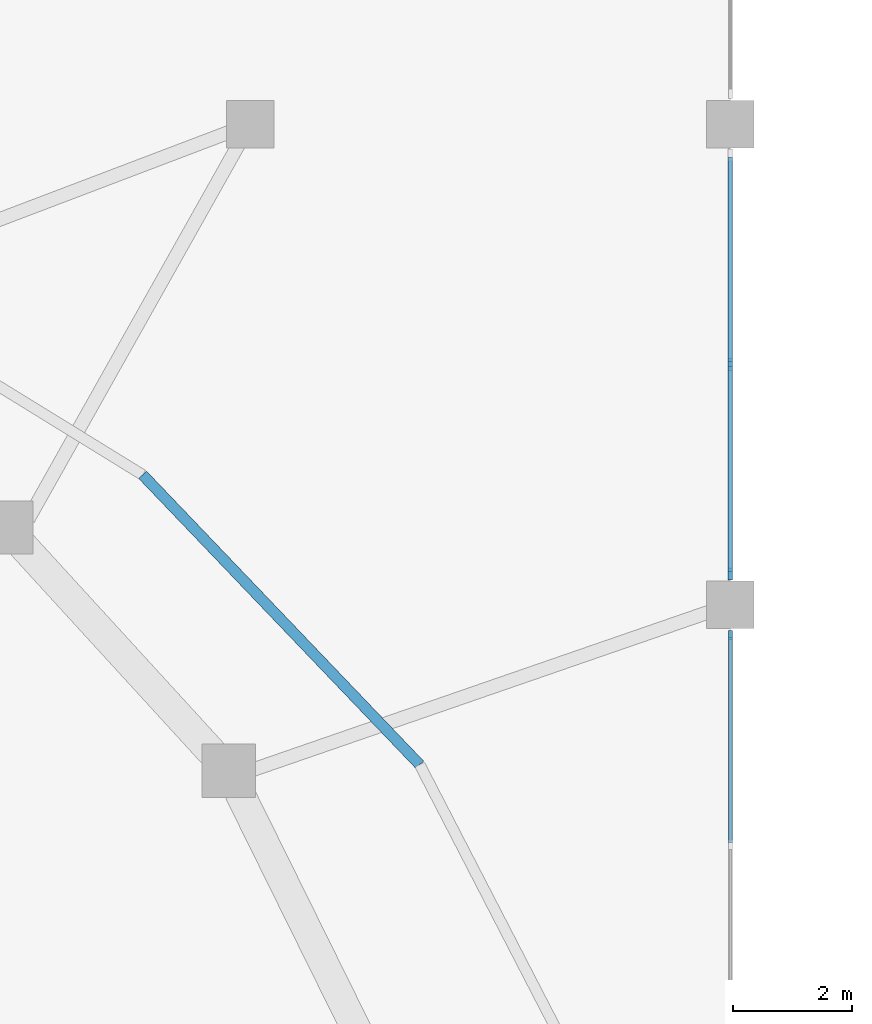
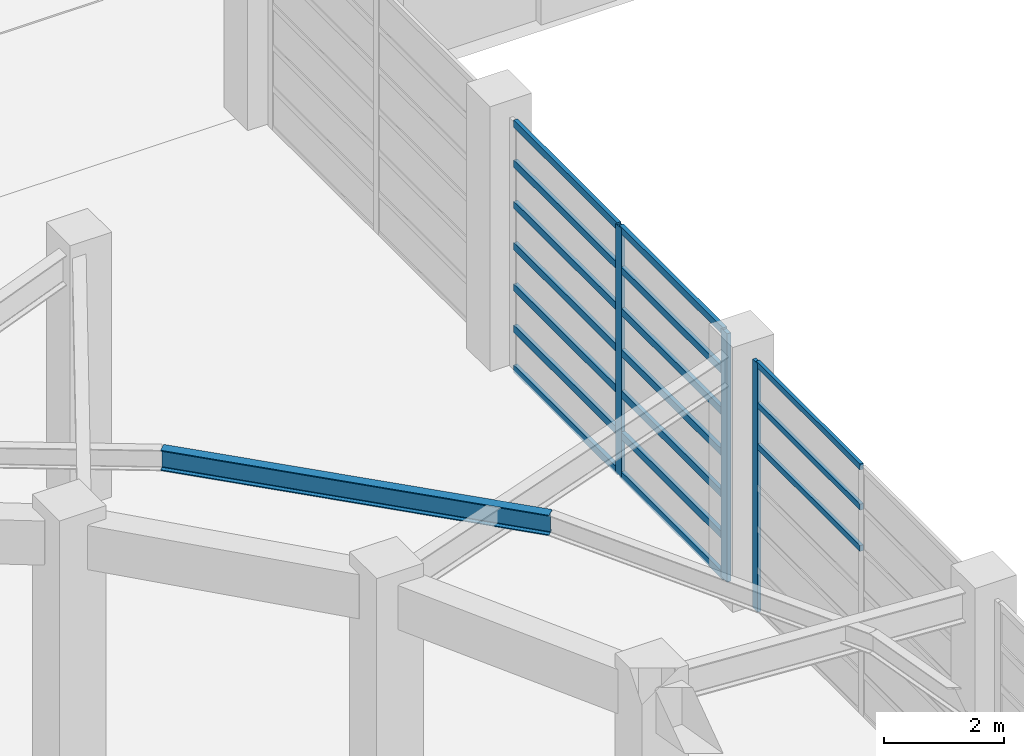
# One storey, part 15 of 52: 20 members, 1 beam, 2 elements without a shape of their own.
"""IFC4 building model written with IfcOpenShell, lengths in metres."""

from ifc_helpers import new_model, si_unit, direction, frame, origin, origin_2d, place, context, subcontext, project, spatial, rectangle, i_section, extrude, material, material_profile, profile_set, type_object, element, aggregate, save


model = new_model("IFC4")

# Units and contexts
model_context = context("Model", 3, precision=1e-05, world=origin(), true_north=direction((0.0, 1.0)))
body_context = subcontext(model_context, "Body", "Model", "MODEL_VIEW")
ifc_project = project(units=[si_unit("LENGTHUNIT", "METRE"), si_unit("AREAUNIT", "SQUARE_METRE"), si_unit("VOLUMEUNIT", "CUBIC_METRE"), si_unit("PLANEANGLEUNIT", "RADIAN"), si_unit("MASSUNIT", "GRAM", prefix="KILO")], contexts=[model_context])

# Site, building, storey
site_placement = place(None, origin())
site = spatial("IfcSite", under=ifc_project, at=site_placement, CompositionType="ELEMENT")
building_placement = place(site_placement, origin())
building = spatial("IfcBuilding", under=site, at=building_placement, Name="Parian Resonance Hall", CompositionType="ELEMENT")
storey_placement = place(building_placement, origin())
storey = spatial("IfcBuildingStorey", under=building, at=storey_placement, Name="L00", CompositionType="ELEMENT", Elevation=0.0)

# Beam
ifc_material_1 = material(Name="Steel S355", Category="steel")
ifc_material_profile_1 = material_profile(ifc_material_1, i_section(OverallWidth=0.180908203125, OverallDepth=0.4169921875, WebThickness=0.010986328125, FlangeThickness=0.018310546875, FilletRadius=0.01513671875, at=origin_2d()), Name="W410x85")
ifc_profile_set_1 = profile_set([ifc_material_profile_1], Name="Steel S355")
beam_type = type_object("IfcBeamType", Name="BM-W410x85", PredefinedType="SPANDREL", material=ifc_profile_set_1)
beam_placement = place(storey_placement, frame((67.6611328125, 54.0, 4.92138671875), z_axis=(-0.690985683524, 0.722868442502, 0.0), x_axis=(-0.722868442502, -0.690985683524, 0.0)))
element("IfcBeam", 1, at=beam_placement, inside=storey, type_object=beam_type, Name="Elliptical R1 perimeter spandrel beam 03", PredefinedType="SPANDREL", context=body_context, shape_type="SweptSolid", body=[
    extrude(i_section(OverallWidth=0.180908203125, OverallDepth=0.4169921875, WebThickness=0.010986328125, FlangeThickness=0.018310546875, FilletRadius=0.01513671875, at=origin_2d()), origin(), (0.0, 0.0, 1.0), 6.761474609375),
])

# Curtain wall, member
ifc_material_2 = material(Name="Bronze-anodised aluminium frame", Category="aluminium")
curtain_wall_type_1 = type_object("IfcCurtainWallType", Name="CW-SYS-01", PredefinedType="NOTDEFINED", material=ifc_material_2)
curtain_wall_1_placement = place(storey_placement, origin())
curtain_wall_1 = element("IfcCurtainWall", 2, at=curtain_wall_1_placement, inside=storey, type_object=curtain_wall_type_1, Name="Curtain wall CW-L00-139", PredefinedType="NOTDEFINED")
ifc_material_3 = material(Name="Bronze-anodised aluminium frame", Category="aluminium")
ifc_material_profile_2 = material_profile(ifc_material_3, rectangle(XDim=0.06494140625, YDim=0.159912109375, at=origin_2d()), Name="CWM-65x160")
ifc_profile_set_2 = profile_set([ifc_material_profile_2], Name="Bronze-anodised aluminium frame")
member_type_1 = type_object("IfcMemberType", Name="CWM-65x160", PredefinedType="MULLION", material=ifc_profile_set_2)
member_1_placement = place(storey_placement, frame((72.89990234375, 56.1875, -0.008056640625), z_axis=(0.0, 0.0, 1.0), x_axis=(1.0, 0.0, 0.0)))
member_1 = element("IfcMember", 3, at=member_1_placement, type_object=member_type_1, Name="CW-01 mullion 1", PredefinedType="MULLION", context=body_context, shape_type="SweptSolid", body=[
    extrude(rectangle(XDim=0.06494140625, YDim=0.159912109375, at=origin_2d()), origin(), (0.0, 0.0, 1.0), 5.068115234375),
])

# Curtain wall, members
ifc_material_4 = material(Name="Bronze-anodised aluminium frame", Category="aluminium")
curtain_wall_type_2 = type_object("IfcCurtainWallType", Name="CW-SYS-02", PredefinedType="NOTDEFINED", material=ifc_material_4)
curtain_wall_2_placement = place(storey_placement, origin())
curtain_wall_2 = element("IfcCurtainWall", 4, at=curtain_wall_2_placement, inside=storey, type_object=curtain_wall_type_2, Name="Curtain wall CW-L00-140", PredefinedType="NOTDEFINED")
ifc_material_5 = material(Name="Bronze-anodised aluminium frame", Category="aluminium")
ifc_material_profile_3 = material_profile(ifc_material_5, rectangle(XDim=0.074951171875, YDim=0.199951171875, at=origin_2d()), Name="CWM-75x200")
ifc_profile_set_3 = profile_set([ifc_material_profile_3], Name="Bronze-anodised aluminium frame")
member_type_2 = type_object("IfcMemberType", Name="CWM-75x200", PredefinedType="MULLION", material=ifc_profile_set_3)
member_2_placement = place(storey_placement, frame((72.89990234375, 60.75, -0.008056640625), z_axis=(0.0, 0.0, 1.0), x_axis=(1.0, 0.0, 0.0)))
member_2 = element("IfcMember", 5, at=member_2_placement, type_object=member_type_2, Name="CW-02 mullion 2", PredefinedType="MULLION", context=body_context, shape_type="SweptSolid", body=[
    extrude(rectangle(XDim=0.074951171875, YDim=0.199951171875, at=origin_2d()), origin(), (0.0, 0.0, 1.0), 5.068115234375),
])
member_3_placement = place(storey_placement, frame((72.89990234375, 57.217529296875, -0.008056640625), z_axis=(0.0, 0.0, 1.0), x_axis=(1.0, 0.0, 0.0)))
member_3 = element("IfcMember", 6, at=member_3_placement, type_object=member_type_2, Name="CW-02 mullion 3", PredefinedType="MULLION", context=body_context, shape_type="SweptSolid", body=[
    extrude(rectangle(XDim=0.074951171875, YDim=0.199951171875, at=origin_2d()), origin(), (0.0, 0.0, 1.0), 5.068115234375),
])

# Member
ifc_material_6 = material(Name="Bronze-anodised aluminium frame", Category="aluminium")
ifc_material_profile_4 = material_profile(ifc_material_6, rectangle(XDim=0.06494140625, YDim=0.1201171875, at=origin_2d()), Name="CWT-65x120")
ifc_profile_set_4 = profile_set([ifc_material_profile_4], Name="Bronze-anodised aluminium frame")
member_type_3 = type_object("IfcMemberType", Name="CWT-65x120", PredefinedType="USERDEFINED", material=ifc_profile_set_4)
member_4_placement = place(storey_placement, frame((72.89990234375, 56.155029296875, 3.36669921875), z_axis=(0.0, -1.0, 0.0), x_axis=(1.0, 0.0, 0.0)))
member_4 = element("IfcMember", 7, at=member_4_placement, type_object=member_type_3, Name="CW-01 transom 1.5", ObjectType="TRANSOM", PredefinedType="USERDEFINED", context=body_context, shape_type="SweptSolid", body=[
    extrude(rectangle(XDim=0.06494140625, YDim=0.1201171875, at=origin_2d()), origin(), (0.0, 0.0, 1.0), 3.472412109375),
])

member_5_placement = place(storey_placement, frame((72.89990234375, 56.155029296875, 4.208251953125), z_axis=(0.0, -1.0, 0.0), x_axis=(1.0, 0.0, 0.0)))
member_5 = element("IfcMember", 8, at=member_5_placement, type_object=member_type_3, Name="CW-01 transom 1.6", ObjectType="TRANSOM", PredefinedType="USERDEFINED", context=body_context, shape_type="SweptSolid", body=[
    extrude(rectangle(XDim=0.06494140625, YDim=0.1201171875, at=origin_2d()), origin(), (0.0, 0.0, 1.0), 3.472412109375),
])

member_6_placement = place(storey_placement, frame((72.89990234375, 56.155029296875, 5.027587890625), z_axis=(0.0, -1.0, 0.0), x_axis=(1.0, 0.0, 0.0)))
member_6 = element("IfcMember", 9, at=member_6_placement, type_object=member_type_3, Name="CW-01 transom 1.7", ObjectType="TRANSOM", PredefinedType="USERDEFINED", context=body_context, shape_type="SweptSolid", body=[
    extrude(rectangle(XDim=0.06494140625, YDim=0.1201171875, at=origin_2d()), origin(), (0.0, 0.0, 1.0), 3.472412109375),
])

aggregate(curtain_wall_1, [member_1, member_4, member_5, member_6])

ifc_material_7 = material(Name="Bronze-anodised aluminium frame", Category="aluminium")
ifc_material_profile_5 = material_profile(ifc_material_7, rectangle(XDim=0.074951171875, YDim=0.14990234375, at=origin_2d()), Name="CWT-75x150")
ifc_profile_set_5 = profile_set([ifc_material_profile_5], Name="Bronze-anodised aluminium frame")
member_type_4 = type_object("IfcMemberType", Name="CWT-75x150", PredefinedType="USERDEFINED", material=ifc_profile_set_5)
member_7_placement = place(storey_placement, frame((72.89990234375, 64.2451171875, 0.029541015625), z_axis=(0.0, -1.0, 0.0), x_axis=(1.0, 0.0, 0.0)))
member_7 = element("IfcMember", 10, at=member_7_placement, type_object=member_type_4, Name="CW-02 transom 1.1", ObjectType="TRANSOM", PredefinedType="USERDEFINED", context=body_context, shape_type="SweptSolid", body=[
    extrude(rectangle(XDim=0.074951171875, YDim=0.14990234375, at=origin_2d()), origin(), (0.0, 0.0, 1.0), 3.45751953125),
])

member_8_placement = place(storey_placement, frame((72.89990234375, 64.2451171875, 0.841796875), z_axis=(0.0, -1.0, 0.0), x_axis=(1.0, 0.0, 0.0)))
member_8 = element("IfcMember", 11, at=member_8_placement, type_object=member_type_4, Name="CW-02 transom 1.2", ObjectType="TRANSOM", PredefinedType="USERDEFINED", context=body_context, shape_type="SweptSolid", body=[
    extrude(rectangle(XDim=0.074951171875, YDim=0.14990234375, at=origin_2d()), origin(), (0.0, 0.0, 1.0), 3.45751953125),
])

member_9_placement = place(storey_placement, frame((72.89990234375, 64.2451171875, 1.683349609375), z_axis=(0.0, -1.0, 0.0), x_axis=(1.0, 0.0, 0.0)))
member_9 = element("IfcMember", 12, at=member_9_placement, type_object=member_type_4, Name="CW-02 transom 1.3", ObjectType="TRANSOM", PredefinedType="USERDEFINED", context=body_context, shape_type="SweptSolid", body=[
    extrude(rectangle(XDim=0.074951171875, YDim=0.14990234375, at=origin_2d()), origin(), (0.0, 0.0, 1.0), 3.45751953125),
])

member_10_placement = place(storey_placement, frame((72.89990234375, 64.2451171875, 2.52490234375), z_axis=(0.0, -1.0, 0.0), x_axis=(1.0, 0.0, 0.0)))
member_10 = element("IfcMember", 13, at=member_10_placement, type_object=member_type_4, Name="CW-02 transom 1.4", ObjectType="TRANSOM", PredefinedType="USERDEFINED", context=body_context, shape_type="SweptSolid", body=[
    extrude(rectangle(XDim=0.074951171875, YDim=0.14990234375, at=origin_2d()), origin(), (0.0, 0.0, 1.0), 3.45751953125),
])

member_11_placement = place(storey_placement, frame((72.89990234375, 64.2451171875, 3.36669921875), z_axis=(0.0, -1.0, 0.0), x_axis=(1.0, 0.0, 0.0)))
member_11 = element("IfcMember", 14, at=member_11_placement, type_object=member_type_4, Name="CW-02 transom 1.5", ObjectType="TRANSOM", PredefinedType="USERDEFINED", context=body_context, shape_type="SweptSolid", body=[
    extrude(rectangle(XDim=0.074951171875, YDim=0.14990234375, at=origin_2d()), origin(), (0.0, 0.0, 1.0), 3.45751953125),
])

member_12_placement = place(storey_placement, frame((72.89990234375, 64.2451171875, 4.208251953125), z_axis=(0.0, -1.0, 0.0), x_axis=(1.0, 0.0, 0.0)))
member_12 = element("IfcMember", 15, at=member_12_placement, type_object=member_type_4, Name="CW-02 transom 1.6", ObjectType="TRANSOM", PredefinedType="USERDEFINED", context=body_context, shape_type="SweptSolid", body=[
    extrude(rectangle(XDim=0.074951171875, YDim=0.14990234375, at=origin_2d()), origin(), (0.0, 0.0, 1.0), 3.45751953125),
])

member_13_placement = place(storey_placement, frame((72.89990234375, 64.2451171875, 5.0224609375), z_axis=(0.0, -1.0, 0.0), x_axis=(1.0, 0.0, 0.0)))
member_13 = element("IfcMember", 16, at=member_13_placement, type_object=member_type_4, Name="CW-02 transom 1.7", ObjectType="TRANSOM", PredefinedType="USERDEFINED", context=body_context, shape_type="SweptSolid", body=[
    extrude(rectangle(XDim=0.074951171875, YDim=0.14990234375, at=origin_2d()), origin(), (0.0, 0.0, 1.0), 3.45751953125),
])

member_14_placement = place(storey_placement, frame((72.89990234375, 60.71240234375, 0.029541015625), z_axis=(0.0, -1.0, 0.0), x_axis=(1.0, 0.0, 0.0)))
member_14 = element("IfcMember", 17, at=member_14_placement, type_object=member_type_4, Name="CW-02 transom 2.1", ObjectType="TRANSOM", PredefinedType="USERDEFINED", context=body_context, shape_type="SweptSolid", body=[
    extrude(rectangle(XDim=0.074951171875, YDim=0.14990234375, at=origin_2d()), origin(), (0.0, 0.0, 1.0), 3.45751953125),
])

member_15_placement = place(storey_placement, frame((72.89990234375, 60.71240234375, 0.841796875), z_axis=(0.0, -1.0, 0.0), x_axis=(1.0, 0.0, 0.0)))
member_15 = element("IfcMember", 18, at=member_15_placement, type_object=member_type_4, Name="CW-02 transom 2.2", ObjectType="TRANSOM", PredefinedType="USERDEFINED", context=body_context, shape_type="SweptSolid", body=[
    extrude(rectangle(XDim=0.074951171875, YDim=0.14990234375, at=origin_2d()), origin(), (0.0, 0.0, 1.0), 3.45751953125),
])

member_16_placement = place(storey_placement, frame((72.89990234375, 60.71240234375, 1.683349609375), z_axis=(0.0, -1.0, 0.0), x_axis=(1.0, 0.0, 0.0)))
member_16 = element("IfcMember", 19, at=member_16_placement, type_object=member_type_4, Name="CW-02 transom 2.3", ObjectType="TRANSOM", PredefinedType="USERDEFINED", context=body_context, shape_type="SweptSolid", body=[
    extrude(rectangle(XDim=0.074951171875, YDim=0.14990234375, at=origin_2d()), origin(), (0.0, 0.0, 1.0), 3.45751953125),
])

member_17_placement = place(storey_placement, frame((72.89990234375, 60.71240234375, 2.52490234375), z_axis=(0.0, -1.0, 0.0), x_axis=(1.0, 0.0, 0.0)))
member_17 = element("IfcMember", 20, at=member_17_placement, type_object=member_type_4, Name="CW-02 transom 2.4", ObjectType="TRANSOM", PredefinedType="USERDEFINED", context=body_context, shape_type="SweptSolid", body=[
    extrude(rectangle(XDim=0.074951171875, YDim=0.14990234375, at=origin_2d()), origin(), (0.0, 0.0, 1.0), 3.45751953125),
])

member_18_placement = place(storey_placement, frame((72.89990234375, 60.71240234375, 3.36669921875), z_axis=(0.0, -1.0, 0.0), x_axis=(1.0, 0.0, 0.0)))
member_18 = element("IfcMember", 21, at=member_18_placement, type_object=member_type_4, Name="CW-02 transom 2.5", ObjectType="TRANSOM", PredefinedType="USERDEFINED", context=body_context, shape_type="SweptSolid", body=[
    extrude(rectangle(XDim=0.074951171875, YDim=0.14990234375, at=origin_2d()), origin(), (0.0, 0.0, 1.0), 3.45751953125),
])

member_19_placement = place(storey_placement, frame((72.89990234375, 60.71240234375, 4.208251953125), z_axis=(0.0, -1.0, 0.0), x_axis=(1.0, 0.0, 0.0)))
member_19 = element("IfcMember", 22, at=member_19_placement, type_object=member_type_4, Name="CW-02 transom 2.6", ObjectType="TRANSOM", PredefinedType="USERDEFINED", context=body_context, shape_type="SweptSolid", body=[
    extrude(rectangle(XDim=0.074951171875, YDim=0.14990234375, at=origin_2d()), origin(), (0.0, 0.0, 1.0), 3.45751953125),
])

member_20_placement = place(storey_placement, frame((72.89990234375, 60.71240234375, 5.0224609375), z_axis=(0.0, -1.0, 0.0), x_axis=(1.0, 0.0, 0.0)))
member_20 = element("IfcMember", 23, at=member_20_placement, type_object=member_type_4, Name="CW-02 transom 2.7", ObjectType="TRANSOM", PredefinedType="USERDEFINED", context=body_context, shape_type="SweptSolid", body=[
    extrude(rectangle(XDim=0.074951171875, YDim=0.14990234375, at=origin_2d()), origin(), (0.0, 0.0, 1.0), 3.45751953125),
])

aggregate(curtain_wall_2, [member_2, member_3, member_7, member_8, member_9, member_10, member_11, member_12, member_13, member_14, member_15, member_16, member_17, member_18, member_19, member_20])

save(model, "model.ifc")
